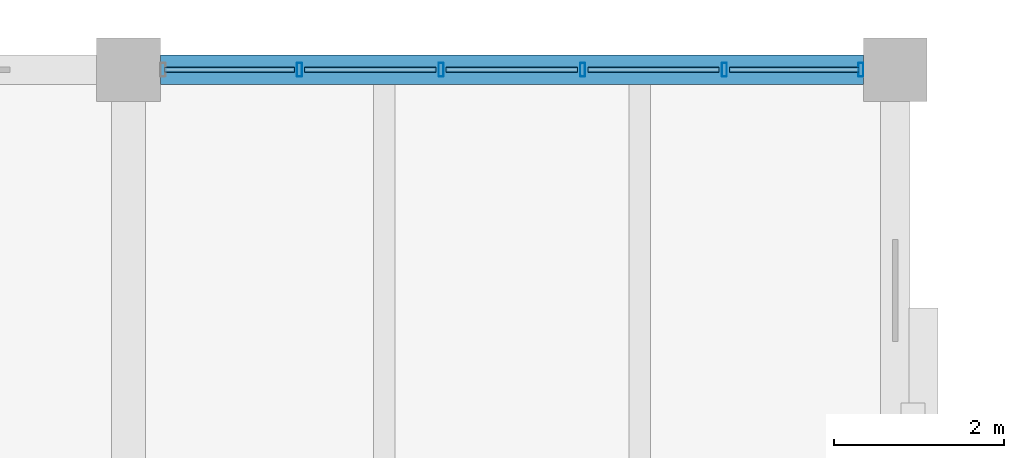
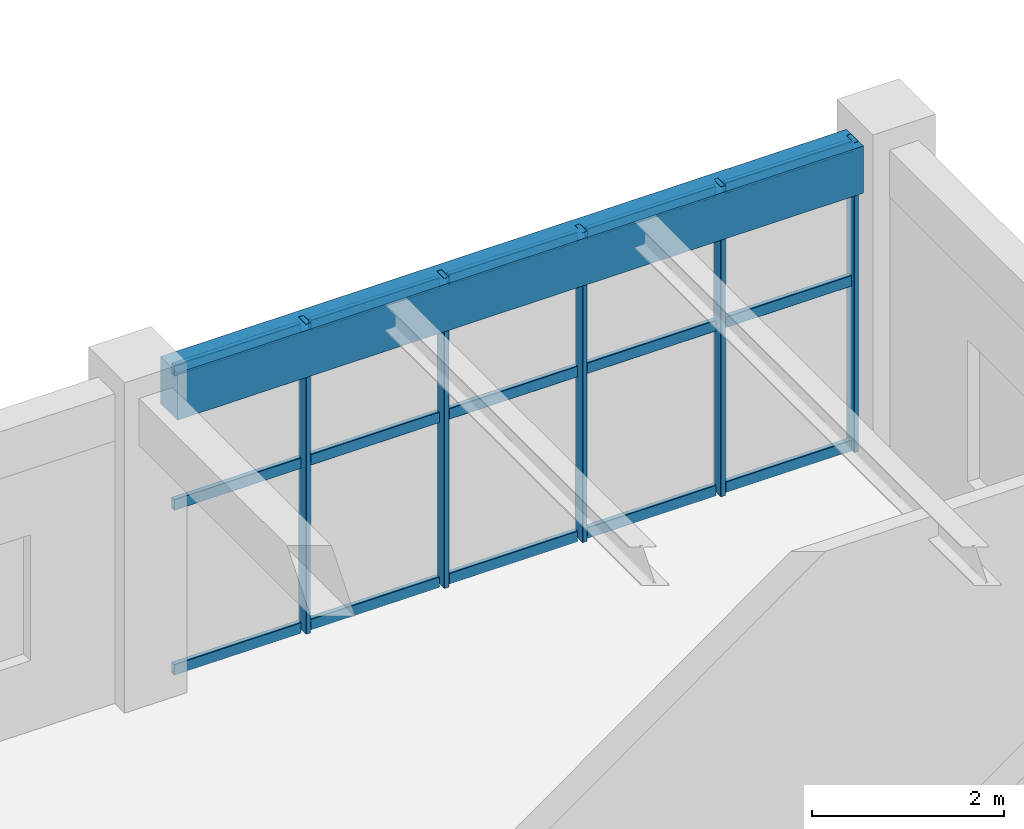
# One storey, part 76 of 148: 20 members, 1 beam, 1 element without a shape of its own.
"""IFC4 building model written with IfcOpenShell, lengths in metres."""

import ifcopenshell
import ifcopenshell.guid

model = None  # the IFC model being written
_history = None  # IfcOwnerHistory: only IFC2X3 demands one
_inside = {}  # id of a spatial element -> (the spatial element, [elements in it])
_under = {}  # id of a project, library or spatial element -> (it, [spatial elements below it])
_declared = {}  # id of a project -> (the project, [libraries it declares])
_typed = {}  # id of a type object -> (the type object, [elements of that type])
_made_of = {}  # id of a material, layer set ... -> (it, [elements and type objects made of it])


def new_model(schema):
    """Start an empty IFC model of exactly this schema.

    Asked for "IFC4X3", IfcOpenShell would pick the latest addendum, in which some entities
    have other attributes; the version numbers below select the first issue.
    IFC2X3 requires an IfcOwnerHistory on every rooted entity: one is made here for all.
    """
    global model, _history
    if schema == "IFC4X3":
        model = ifcopenshell.file(schema_version=(4, 3, 0, 0))
    else:
        model = ifcopenshell.file(schema=schema)
    _inside.clear()
    _under.clear()
    _declared.clear()
    _typed.clear()
    _made_of.clear()
    _history = None
    if model.schema == "IFC2X3":
        org = make("IfcOrganization", Name="unknown")
        user = make(
            "IfcPersonAndOrganization",
            ThePerson=make("IfcPerson", FamilyName="unknown"),
            TheOrganization=org,
        )
        app = make(
            "IfcApplication",
            ApplicationDeveloper=org,
            Version="unknown",
            ApplicationFullName="unknown",
            ApplicationIdentifier="unknown",
        )
        _history = make(
            "IfcOwnerHistory",
            OwningUser=user,
            OwningApplication=app,
            ChangeAction="ADDED",
            CreationDate=0,
        )
    return model


def make(cls, **values):
    """One entity of the class cls with the attributes given. An attribute that is None is left unset."""
    return model.create_entity(
        cls, **{name: value for name, value in values.items() if value is not None}
    )


def rooted(cls, **values):
    """An entity with a GlobalId (a new one), such as an element, a storey or a relation."""
    return make(cls, GlobalId=ifcopenshell.guid.new(), OwnerHistory=_history, **values)


def si_unit(unit_type, name, prefix=None):
    """IfcSIUnit, for example si_unit("LENGTHUNIT", "METRE", prefix="MILLI")."""
    return make("IfcSIUnit", UnitType=unit_type, Prefix=prefix, Name=name)


def derived_unit(unit_type, elements):
    """IfcDerivedUnit: a product of units, each with its exponent."""
    return make(
        "IfcDerivedUnit",
        Elements=[
            make("IfcDerivedUnitElement", Unit=unit, Exponent=power)
            for unit, power in elements
        ],
        UnitType=unit_type,
    )


def assignment(units):
    """IfcUnitAssignment: the units of a project."""
    return None if units is None else make("IfcUnitAssignment", Units=units)


def point(xyz):
    """IfcCartesianPoint."""
    return None if xyz is None else make("IfcCartesianPoint", Coordinates=xyz)


def direction(xyz):
    """IfcDirection."""
    return None if xyz is None else make("IfcDirection", DirectionRatios=xyz)


def frame(location, z_axis=None, x_axis=None):
    """IfcAxis2Placement3D, a coordinate frame: its origin and axes. An axis left out is left unset."""
    return make(
        "IfcAxis2Placement3D",
        Location=point(location),
        Axis=direction(z_axis),
        RefDirection=direction(x_axis),
    )


def frame_2d(location, x_axis=None):
    """IfcAxis2Placement2D, a coordinate frame in the plane: its origin and x axis."""
    return make(
        "IfcAxis2Placement2D", Location=point(location), RefDirection=direction(x_axis)
    )


def origin():
    """The frame at (0, 0, 0) with its axes left unset."""
    return frame((0.0, 0.0, 0.0))


def origin_2d():
    """The frame at (0, 0) in the plane with its x axis left unset."""
    return frame_2d((0.0, 0.0))


def place(relative_to, where):
    """IfcLocalPlacement: puts the frame where relative to a parent placement (None: the world)."""
    return make(
        "IfcLocalPlacement", PlacementRelTo=relative_to, RelativePlacement=where
    )


def context(
    kind, dimensions, precision=None, world=None, true_north=None, identifier=None
):
    """IfcGeometricRepresentationContext, for example the 3D "Model" context."""
    return make(
        "IfcGeometricRepresentationContext",
        ContextIdentifier=identifier,
        ContextType=kind,
        CoordinateSpaceDimension=dimensions,
        Precision=precision,
        WorldCoordinateSystem=world,
        TrueNorth=true_north,
    )


def subcontext(parent, identifier, kind, view, scale=None):
    """IfcGeometricRepresentationSubContext, for example "Body" below "Model"."""
    return make(
        "IfcGeometricRepresentationSubContext",
        ContextIdentifier=identifier,
        ContextType=kind,
        ParentContext=parent,
        TargetScale=scale,
        TargetView=view,
    )


def project(units=None, contexts=None):
    """IfcProject with its units and contexts."""
    return rooted(
        "IfcProject",
        Name="project",
        RepresentationContexts=contexts,
        UnitsInContext=assignment(units),
    )


def spatial(cls, under=None, at=None, **own):
    """A site, building, storey or space (cls), placed at a placement, below another one or the project."""
    s = rooted(cls, ObjectPlacement=at, **own)
    if under is not None:
        _under.setdefault(under.id(), (under, []))[1].append(s)
    return s


def profile(cls, at=None, kind="AREA", **sizes):
    """A parametric profile (cls). Its sizes go by their IFC names, for example OverallWidth=200.0."""
    return make(cls, ProfileType=kind, Position=at, **sizes)


def rectangle(**sizes):
    """IfcRectangleProfileDef."""
    return profile("IfcRectangleProfileDef", **sizes)


def hollow_rectangle(**sizes):
    """IfcRectangleHollowProfileDef."""
    return profile("IfcRectangleHollowProfileDef", **sizes)


def extrude(swept, where, along, depth):
    """IfcExtrudedAreaSolid: the profile swept, set in the frame where, extruded along a direction by depth."""
    return make(
        "IfcExtrudedAreaSolid",
        SweptArea=swept,
        Position=where,
        ExtrudedDirection=direction(along),
        Depth=depth,
    )


def shape(context_of_items, identifier, shape_type, items):
    """IfcShapeRepresentation: the items that make up one representation, for example the "Body"."""
    return make(
        "IfcShapeRepresentation",
        ContextOfItems=context_of_items,
        RepresentationIdentifier=identifier,
        RepresentationType=shape_type,
        Items=items,
    )


def material(Name=None, Category=None):
    """IfcMaterial."""
    return make("IfcMaterial", Name=Name, Category=Category)


def material_profile(
    of_material, cross_section, Name=None, Category=None, Priority=None
):
    """IfcMaterialProfile: a cross section and its material."""
    return make(
        "IfcMaterialProfile",
        Name=Name,
        Material=of_material,
        Profile=cross_section,
        Priority=Priority,
        Category=Category,
    )


def profile_set(profiles, Name=None, composite=None):
    """IfcMaterialProfileSet."""
    return make(
        "IfcMaterialProfileSet",
        Name=Name,
        MaterialProfiles=profiles,
        CompositeProfile=composite,
    )


def made_of(thing, what):
    """Note that an element or type object is made of a material, layer set ...; save() writes the relation."""
    if what is not None:
        _made_of.setdefault(what.id(), (what, []))[1].append(thing)
    return thing


def type_object(cls, material=None, **own):
    """A type object (cls), such as IfcWallType, which elements share."""
    return made_of(rooted(cls, **own), material)


def element(
    cls,
    number,
    at=None,
    inside=None,
    cuts=None,
    type_object=None,
    material=None,
    context=None,
    identifier="Body",
    shape_type=None,
    held_by="IfcProductDefinitionShape",
    body=None,
    shapes=None,
    **own,
):
    """One element of the class cls, such as IfcWall. Its Tag is "e" and its number.

    at: its placement. inside: the storey or other place that contains it. cuts: it is an
    opening in that element (IfcRelVoidsElement). A single representation is given by context,
    identifier, shape_type and body (its items); several are given by shapes. held_by: the class
    of the entity that holds the representations. save() writes the other relations.
    """
    e = rooted(cls, Tag="e%d" % number, ObjectPlacement=at, **own)
    if body is not None:
        shapes = [shape(context, identifier, shape_type, body)]
    if shapes is not None:
        e.Representation = make(held_by, Representations=shapes)
    if inside is not None:
        _inside.setdefault(inside.id(), (inside, []))[1].append(e)
    if cuts is not None:
        rooted(
            "IfcRelVoidsElement", RelatingBuildingElement=cuts, RelatedOpeningElement=e
        )
    if type_object is not None:
        _typed.setdefault(type_object.id(), (type_object, []))[1].append(e)
    return made_of(e, material)


def aggregate(whole, parts):
    """IfcRelAggregates: a whole, such as a stair, and the parts it consists of."""
    return rooted("IfcRelAggregates", RelatingObject=whole, RelatedObjects=parts)


def save(model, path):
    """Write the relations noted so far, then the file.

    IfcRelAggregates (storeys below a building ...), IfcRelContainedInSpatialStructure (elements
    in a storey), IfcRelDefinesByType, IfcRelAssociatesMaterial and IfcRelDeclares: one each for
    every whole, place, type object, material and project.
    """
    for whole, parts in _under.values():
        aggregate(whole, parts)
    for where, things in _inside.values():
        rooted(
            "IfcRelContainedInSpatialStructure",
            RelatedElements=things,
            RelatingStructure=where,
        )
    for kind, things in _typed.values():
        rooted("IfcRelDefinesByType", RelatedObjects=things, RelatingType=kind)
    for what, things in _made_of.values():
        rooted("IfcRelAssociatesMaterial", RelatedObjects=things, RelatingMaterial=what)
    for by, libraries in _declared.values():
        rooted("IfcRelDeclares", RelatingContext=by, RelatedDefinitions=libraries)
    model.write(path)


model = new_model("IFC4")

# Units and contexts
model_context = context("Model", 3, precision=1e-05, world=origin(), true_north=direction((0.0, 1.0)))
body_context = subcontext(model_context, "Body", "Model", "MODEL_VIEW")
ifc_project = project(units=[si_unit("LENGTHUNIT", "METRE"), si_unit("AREAUNIT", "SQUARE_METRE"), si_unit("VOLUMEUNIT", "CUBIC_METRE"), si_unit("PLANEANGLEUNIT", "RADIAN"), si_unit("MASSUNIT", "GRAM", prefix="KILO"), derived_unit("THERMALTRANSMITTANCEUNIT", [(si_unit("MASSUNIT", "GRAM", prefix="KILO"), 1), (si_unit("TIMEUNIT", "SECOND"), -3), (si_unit("THERMODYNAMICTEMPERATUREUNIT", "KELVIN"), -1)])], contexts=[model_context])

# Site, building, storey
site_placement = place(None, origin())
site = spatial("IfcSite", under=ifc_project, at=site_placement, CompositionType="ELEMENT")
building_placement = place(site_placement, origin())
building = spatial("IfcBuilding", under=site, at=building_placement, Name="Zhenchuan Archway Interchange", CompositionType="ELEMENT")
storey_placement = place(building_placement, frame((0.0, 0.0, 10.199951171875)))
storey = spatial("IfcBuildingStorey", under=building, at=storey_placement, Name="L02", CompositionType="ELEMENT", Elevation=10.199951171875)

# Curtain wall, members
ifc_material_1 = material(Name="Anodised Aluminium", Category="aluminium")
curtain_wall_type = type_object("IfcCurtainWallType", Name="CW_UNIT_3", PredefinedType="NOTDEFINED", material=ifc_material_1)
curtain_wall_placement = place(storey_placement, origin())
curtain_wall = element("IfcCurtainWall", 1, at=curtain_wall_placement, inside=storey, type_object=curtain_wall_type, Name="Unitised curtain wall CW:L02:142", PredefinedType="NOTDEFINED")
ifc_material_profile_1 = material_profile(ifc_material_1, hollow_rectangle(XDim=0.06005859375, YDim=0.159912109375, WallThickness=0.00390625, InnerFilletRadius=0.00390625, OuterFilletRadius=0.008056640625, at=origin_2d()), Name="ALU 160x60x4")
ifc_profile_set_1 = profile_set([ifc_material_profile_1], Name="Anodised Aluminium")
member_type_1 = type_object("IfcMemberType", Name="CW_MUL_150", PredefinedType="MULLION", material=ifc_profile_set_1)
member_1_placement = place(storey_placement, frame((47.005859375, 112.0, 0.0), z_axis=(0.0, 0.0, 1.0), x_axis=(1.0, 0.0, 0.0)))
member_1 = element("IfcMember", 2, at=member_1_placement, type_object=member_type_1, Name="CW:L02:142 mullion 1", PredefinedType="MULLION", context=body_context, shape_type="SweptSolid", body=[
    extrude(hollow_rectangle(XDim=0.06005859375, YDim=0.159912109375, WallThickness=0.00390625, InnerFilletRadius=0.00390625, OuterFilletRadius=0.008056640625, at=origin_2d()), origin(), (0.0, 0.0, 1.0), 3.93994140625),
])
member_2_placement = place(storey_placement, frame((48.668701171875, 112.0, 0.0), z_axis=(0.0, 0.0, 1.0), x_axis=(1.0, 0.0, 0.0)))
member_2 = element("IfcMember", 3, at=member_2_placement, type_object=member_type_1, Name="CW:L02:142 mullion 2", PredefinedType="MULLION", context=body_context, shape_type="SweptSolid", body=[
    extrude(hollow_rectangle(XDim=0.06005859375, YDim=0.159912109375, WallThickness=0.00390625, InnerFilletRadius=0.00390625, OuterFilletRadius=0.008056640625, at=origin_2d()), origin(), (0.0, 0.0, 1.0), 3.93994140625),
])
member_3_placement = place(storey_placement, frame((50.331298828125, 112.0, 0.0), z_axis=(0.0, 0.0, 1.0), x_axis=(1.0, 0.0, 0.0)))
member_3 = element("IfcMember", 4, at=member_3_placement, type_object=member_type_1, Name="CW:L02:142 mullion 3", PredefinedType="MULLION", context=body_context, shape_type="SweptSolid", body=[
    extrude(hollow_rectangle(XDim=0.06005859375, YDim=0.159912109375, WallThickness=0.00390625, InnerFilletRadius=0.00390625, OuterFilletRadius=0.008056640625, at=origin_2d()), origin(), (0.0, 0.0, 1.0), 3.93994140625),
])
member_4_placement = place(storey_placement, frame((51.994140625, 112.0, 0.0), z_axis=(0.0, 0.0, 1.0), x_axis=(1.0, 0.0, 0.0)))
member_4 = element("IfcMember", 5, at=member_4_placement, type_object=member_type_1, Name="CW:L02:142 mullion 4", PredefinedType="MULLION", context=body_context, shape_type="SweptSolid", body=[
    extrude(hollow_rectangle(XDim=0.06005859375, YDim=0.159912109375, WallThickness=0.00390625, InnerFilletRadius=0.00390625, OuterFilletRadius=0.008056640625, at=origin_2d()), origin(), (0.0, 0.0, 1.0), 3.93994140625),
])
member_5_placement = place(storey_placement, frame((53.596923828125, 112.0, 0.0), z_axis=(0.0, 0.0, 1.0), x_axis=(1.0, 0.0, 0.0)))
member_5 = element("IfcMember", 6, at=member_5_placement, type_object=member_type_1, Name="CW:L02:142 mullion 5", PredefinedType="MULLION", context=body_context, shape_type="SweptSolid", body=[
    extrude(hollow_rectangle(XDim=0.06005859375, YDim=0.159912109375, WallThickness=0.00390625, InnerFilletRadius=0.00390625, OuterFilletRadius=0.008056640625, at=origin_2d()), origin(), (0.0, 0.0, 1.0), 3.93994140625),
])
ifc_material_profile_2 = material_profile(ifc_material_1, hollow_rectangle(XDim=0.06005859375, YDim=0.139892578125, WallThickness=0.00341796875, InnerFilletRadius=0.00341796875, OuterFilletRadius=0.007080078125, at=origin_2d()), Name="ALU 140x60x3.5")
ifc_profile_set_2 = profile_set([ifc_material_profile_2], Name="Anodised Aluminium")
member_type_2 = type_object("IfcMemberType", Name="CW_TRN_140", PredefinedType="USERDEFINED", material=ifc_profile_set_2)
member_6_placement = place(storey_placement, frame((45.423095703125, 112.0, 0.06005859375), z_axis=(1.0, 0.0, 0.0), x_axis=(0.0, 1.0, 0.0)))
member_6 = element("IfcMember", 7, at=member_6_placement, type_object=member_type_2, Name="CW:L02:142 transom 0-1", ObjectType="TRANSOM", PredefinedType="USERDEFINED", context=body_context, shape_type="SweptSolid", body=[
    extrude(hollow_rectangle(XDim=0.06005859375, YDim=0.139892578125, WallThickness=0.00341796875, InnerFilletRadius=0.00341796875, OuterFilletRadius=0.007080078125, at=origin_2d()), origin(), (0.0, 0.0, 1.0), 1.522705078125),
])
member_7_placement = place(storey_placement, frame((45.423095703125, 112.0, 2.156005859375), z_axis=(1.0, 0.0, 0.0), x_axis=(0.0, 1.0, 0.0)))
member_7 = element("IfcMember", 8, at=member_7_placement, type_object=member_type_2, Name="CW:L02:142 transom 0-2", ObjectType="TRANSOM", PredefinedType="USERDEFINED", context=body_context, shape_type="SweptSolid", body=[
    extrude(hollow_rectangle(XDim=0.06005859375, YDim=0.139892578125, WallThickness=0.00341796875, InnerFilletRadius=0.00341796875, OuterFilletRadius=0.007080078125, at=origin_2d()), origin(), (0.0, 0.0, 1.0), 1.522705078125),
])
member_8_placement = place(storey_placement, frame((45.423095703125, 112.0, 3.860107421875), z_axis=(1.0, 0.0, 0.0), x_axis=(0.0, 1.0, 0.0)))
member_8 = element("IfcMember", 9, at=member_8_placement, type_object=member_type_2, Name="CW:L02:142 transom 0-3", ObjectType="TRANSOM", PredefinedType="USERDEFINED", context=body_context, shape_type="SweptSolid", body=[
    extrude(hollow_rectangle(XDim=0.06005859375, YDim=0.139892578125, WallThickness=0.00341796875, InnerFilletRadius=0.00341796875, OuterFilletRadius=0.007080078125, at=origin_2d()), origin(), (0.0, 0.0, 1.0), 1.522705078125),
])
member_9_placement = place(storey_placement, frame((47.06591796875, 112.0, 0.06005859375), z_axis=(1.0, 0.0, 0.0), x_axis=(0.0, 1.0, 0.0)))
member_9 = element("IfcMember", 10, at=member_9_placement, type_object=member_type_2, Name="CW:L02:142 transom 1-1", ObjectType="TRANSOM", PredefinedType="USERDEFINED", context=body_context, shape_type="SweptSolid", body=[
    extrude(hollow_rectangle(XDim=0.06005859375, YDim=0.139892578125, WallThickness=0.00341796875, InnerFilletRadius=0.00341796875, OuterFilletRadius=0.007080078125, at=origin_2d()), origin(), (0.0, 0.0, 1.0), 1.542724609375),
])
member_10_placement = place(storey_placement, frame((47.06591796875, 112.0, 2.156005859375), z_axis=(1.0, 0.0, 0.0), x_axis=(0.0, 1.0, 0.0)))
member_10 = element("IfcMember", 11, at=member_10_placement, type_object=member_type_2, Name="CW:L02:142 transom 1-2", ObjectType="TRANSOM", PredefinedType="USERDEFINED", context=body_context, shape_type="SweptSolid", body=[
    extrude(hollow_rectangle(XDim=0.06005859375, YDim=0.139892578125, WallThickness=0.00341796875, InnerFilletRadius=0.00341796875, OuterFilletRadius=0.007080078125, at=origin_2d()), origin(), (0.0, 0.0, 1.0), 1.542724609375),
])
member_11_placement = place(storey_placement, frame((47.06591796875, 112.0, 3.860107421875), z_axis=(1.0, 0.0, 0.0), x_axis=(0.0, 1.0, 0.0)))
member_11 = element("IfcMember", 12, at=member_11_placement, type_object=member_type_2, Name="CW:L02:142 transom 1-3", ObjectType="TRANSOM", PredefinedType="USERDEFINED", context=body_context, shape_type="SweptSolid", body=[
    extrude(hollow_rectangle(XDim=0.06005859375, YDim=0.139892578125, WallThickness=0.00341796875, InnerFilletRadius=0.00341796875, OuterFilletRadius=0.007080078125, at=origin_2d()), origin(), (0.0, 0.0, 1.0), 1.542724609375),
])
member_12_placement = place(storey_placement, frame((48.728515625, 112.0, 0.06005859375), z_axis=(1.0, 0.0, 0.0), x_axis=(0.0, 1.0, 0.0)))
member_12 = element("IfcMember", 13, at=member_12_placement, type_object=member_type_2, Name="CW:L02:142 transom 2-1", ObjectType="TRANSOM", PredefinedType="USERDEFINED", context=body_context, shape_type="SweptSolid", body=[
    extrude(hollow_rectangle(XDim=0.06005859375, YDim=0.139892578125, WallThickness=0.00341796875, InnerFilletRadius=0.00341796875, OuterFilletRadius=0.007080078125, at=origin_2d()), origin(), (0.0, 0.0, 1.0), 1.54296875),
])
member_13_placement = place(storey_placement, frame((48.728515625, 112.0, 2.156005859375), z_axis=(1.0, 0.0, 0.0), x_axis=(0.0, 1.0, 0.0)))
member_13 = element("IfcMember", 14, at=member_13_placement, type_object=member_type_2, Name="CW:L02:142 transom 2-2", ObjectType="TRANSOM", PredefinedType="USERDEFINED", context=body_context, shape_type="SweptSolid", body=[
    extrude(hollow_rectangle(XDim=0.06005859375, YDim=0.139892578125, WallThickness=0.00341796875, InnerFilletRadius=0.00341796875, OuterFilletRadius=0.007080078125, at=origin_2d()), origin(), (0.0, 0.0, 1.0), 1.54296875),
])
member_14_placement = place(storey_placement, frame((48.728515625, 112.0, 3.860107421875), z_axis=(1.0, 0.0, 0.0), x_axis=(0.0, 1.0, 0.0)))
member_14 = element("IfcMember", 15, at=member_14_placement, type_object=member_type_2, Name="CW:L02:142 transom 2-3", ObjectType="TRANSOM", PredefinedType="USERDEFINED", context=body_context, shape_type="SweptSolid", body=[
    extrude(hollow_rectangle(XDim=0.06005859375, YDim=0.139892578125, WallThickness=0.00341796875, InnerFilletRadius=0.00341796875, OuterFilletRadius=0.007080078125, at=origin_2d()), origin(), (0.0, 0.0, 1.0), 1.54296875),
])
member_15_placement = place(storey_placement, frame((50.391357421875, 112.0, 0.06005859375), z_axis=(1.0, 0.0, 0.0), x_axis=(0.0, 1.0, 0.0)))
member_15 = element("IfcMember", 16, at=member_15_placement, type_object=member_type_2, Name="CW:L02:142 transom 3-1", ObjectType="TRANSOM", PredefinedType="USERDEFINED", context=body_context, shape_type="SweptSolid", body=[
    extrude(hollow_rectangle(XDim=0.06005859375, YDim=0.139892578125, WallThickness=0.00341796875, InnerFilletRadius=0.00341796875, OuterFilletRadius=0.007080078125, at=origin_2d()), origin(), (0.0, 0.0, 1.0), 1.542724609375),
])
member_16_placement = place(storey_placement, frame((50.391357421875, 112.0, 2.156005859375), z_axis=(1.0, 0.0, 0.0), x_axis=(0.0, 1.0, 0.0)))
member_16 = element("IfcMember", 17, at=member_16_placement, type_object=member_type_2, Name="CW:L02:142 transom 3-2", ObjectType="TRANSOM", PredefinedType="USERDEFINED", context=body_context, shape_type="SweptSolid", body=[
    extrude(hollow_rectangle(XDim=0.06005859375, YDim=0.139892578125, WallThickness=0.00341796875, InnerFilletRadius=0.00341796875, OuterFilletRadius=0.007080078125, at=origin_2d()), origin(), (0.0, 0.0, 1.0), 1.542724609375),
])
member_17_placement = place(storey_placement, frame((50.391357421875, 112.0, 3.860107421875), z_axis=(1.0, 0.0, 0.0), x_axis=(0.0, 1.0, 0.0)))
member_17 = element("IfcMember", 18, at=member_17_placement, type_object=member_type_2, Name="CW:L02:142 transom 3-3", ObjectType="TRANSOM", PredefinedType="USERDEFINED", context=body_context, shape_type="SweptSolid", body=[
    extrude(hollow_rectangle(XDim=0.06005859375, YDim=0.139892578125, WallThickness=0.00341796875, InnerFilletRadius=0.00341796875, OuterFilletRadius=0.007080078125, at=origin_2d()), origin(), (0.0, 0.0, 1.0), 1.542724609375),
])
member_18_placement = place(storey_placement, frame((52.05419921875, 112.0, 0.06005859375), z_axis=(1.0, 0.0, 0.0), x_axis=(0.0, 1.0, 0.0)))
member_18 = element("IfcMember", 19, at=member_18_placement, type_object=member_type_2, Name="CW:L02:142 transom 4-1", ObjectType="TRANSOM", PredefinedType="USERDEFINED", context=body_context, shape_type="SweptSolid", body=[
    extrude(hollow_rectangle(XDim=0.06005859375, YDim=0.139892578125, WallThickness=0.00341796875, InnerFilletRadius=0.00341796875, OuterFilletRadius=0.007080078125, at=origin_2d()), origin(), (0.0, 0.0, 1.0), 1.522705078125),
])
member_19_placement = place(storey_placement, frame((52.05419921875, 112.0, 2.156005859375), z_axis=(1.0, 0.0, 0.0), x_axis=(0.0, 1.0, 0.0)))
member_19 = element("IfcMember", 20, at=member_19_placement, type_object=member_type_2, Name="CW:L02:142 transom 4-2", ObjectType="TRANSOM", PredefinedType="USERDEFINED", context=body_context, shape_type="SweptSolid", body=[
    extrude(hollow_rectangle(XDim=0.06005859375, YDim=0.139892578125, WallThickness=0.00341796875, InnerFilletRadius=0.00341796875, OuterFilletRadius=0.007080078125, at=origin_2d()), origin(), (0.0, 0.0, 1.0), 1.522705078125),
])
member_20_placement = place(storey_placement, frame((52.05419921875, 112.0, 3.860107421875), z_axis=(1.0, 0.0, 0.0), x_axis=(0.0, 1.0, 0.0)))
member_20 = element("IfcMember", 21, at=member_20_placement, type_object=member_type_2, Name="CW:L02:142 transom 4-3", ObjectType="TRANSOM", PredefinedType="USERDEFINED", context=body_context, shape_type="SweptSolid", body=[
    extrude(hollow_rectangle(XDim=0.06005859375, YDim=0.139892578125, WallThickness=0.00341796875, InnerFilletRadius=0.00341796875, OuterFilletRadius=0.007080078125, at=origin_2d()), origin(), (0.0, 0.0, 1.0), 1.522705078125),
])
aggregate(curtain_wall, [member_1, member_2, member_3, member_4, member_5, member_6, member_7, member_8, member_9, member_10, member_11, member_12, member_13, member_14, member_15, member_16, member_17, member_18, member_19, member_20])

# Beam
ifc_material_2 = material(Name="Concrete C40", Category="concrete")
ifc_material_profile_3 = material_profile(ifc_material_2, rectangle(XDim=0.35009765625, YDim=0.60009765625, at=origin_2d()), Name="RC 350x600")
ifc_profile_set_3 = profile_set([ifc_material_profile_3], Name="Concrete C40")
beam_type = type_object("IfcBeamType", Name="SP_RC_350x600", PredefinedType="SPANDREL", material=ifc_profile_set_3)
beam_placement = place(storey_placement, frame((45.375, 112.0, 3.64013671875), z_axis=(1.0, 0.0, 0.0), x_axis=(0.0, 1.0, 0.0)))
element("IfcBeam", 22, at=beam_placement, inside=storey, type_object=beam_type, Name="Beam P:6-7 (L02)", PredefinedType="SPANDREL", context=body_context, shape_type="SweptSolid", body=[
    extrude(rectangle(XDim=0.35009765625, YDim=0.60009765625, at=origin_2d()), origin(), (0.0, 0.0, 1.0), 8.25),
])

save(model, "model.ifc")
